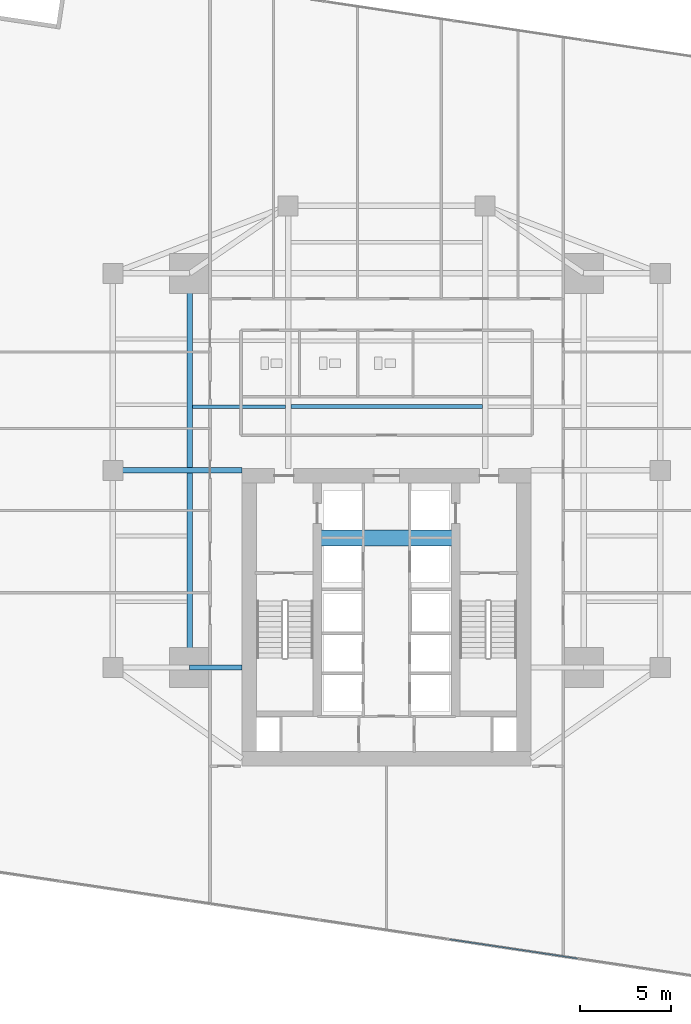
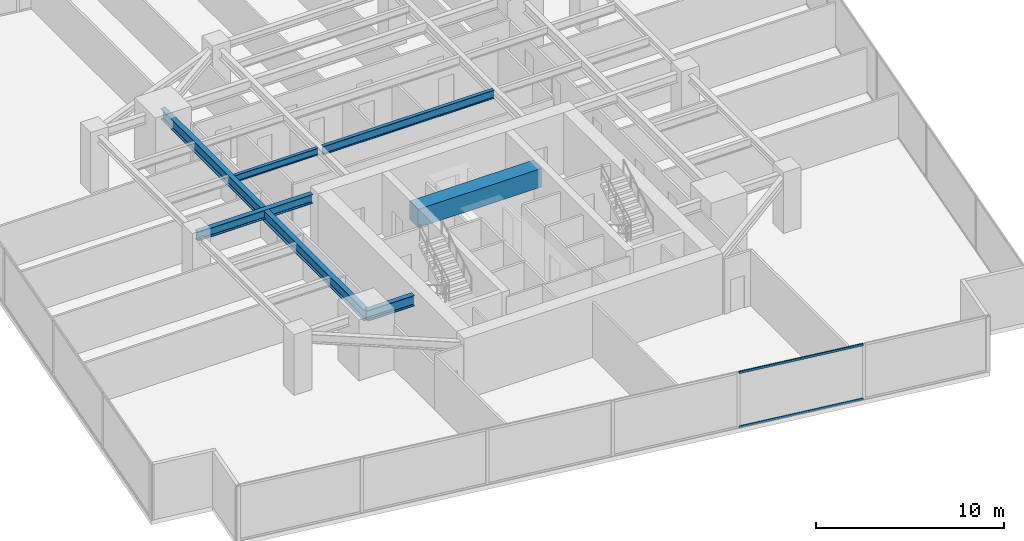
# One storey, part 9 of 29: 6 beams, 2 members, 1 element without a shape of its own.
"""IFC4 building model written with IfcOpenShell, lengths in metres."""

from ifc_helpers import new_model, si_unit, direction, frame, origin, origin_2d, place, context, subcontext, project, spatial, rectangle, hollow_rectangle, i_section, extrude, source, transform, mapped, material, material_profile, profile_set, type_object, type_shapes, element, aggregate, save


model = new_model("IFC4")

# Units and contexts
model_context = context("Model", 3, precision=1e-05, world=origin(), true_north=direction((0.0, 1.0)))
body_context = subcontext(model_context, "Body", "Model", "MODEL_VIEW")
ifc_project = project(units=[si_unit("LENGTHUNIT", "METRE"), si_unit("AREAUNIT", "SQUARE_METRE"), si_unit("VOLUMEUNIT", "CUBIC_METRE"), si_unit("PLANEANGLEUNIT", "RADIAN"), si_unit("MASSUNIT", "GRAM", prefix="KILO")], contexts=[model_context])

# Site, building, storey
site_placement = place(None, origin())
site = spatial("IfcSite", under=ifc_project, at=site_placement, CompositionType="ELEMENT")
building_placement = place(site_placement, origin())
building = spatial("IfcBuilding", under=site, at=building_placement, Name="Krantzveldt Concourse Tower", CompositionType="ELEMENT")
storey_placement = place(building_placement, frame((0.0, 0.0, 76.35009765625)))
storey = spatial("IfcBuildingStorey", under=building, at=storey_placement, Name="L18", CompositionType="ELEMENT", Elevation=76.35009765625)

# Beams
ifc_material_1 = material(Name="Concrete C50/60", Category="concrete")
ifc_material_profile_1 = material_profile(ifc_material_1, rectangle(XDim=0.89990234375, YDim=1.199951171875, at=origin_2d()), Name="Concrete C50/60", Category="concrete")
ifc_profile_set_1 = profile_set([ifc_material_profile_1], Name="Concrete C50/60 - RC-CB 900x1200")
beam_type_1 = type_object("IfcBeamType", Name="BM-CB-1200", PredefinedType="LINTEL", material=ifc_profile_set_1)
shared_shape_1 = source(origin(), body_context, "Body", "SweptSolid", [
    extrude(rectangle(XDim=0.89990234375, YDim=1.199951171875, at=origin_2d()), origin(), (0.0, 0.0, 1.0), 7.580078125),
])
type_shapes(beam_type_1, [shared_shape_1])
beam_1_placement = place(storey_placement, frame((32.2099609375, 23.0, 2.989990234375), z_axis=(1.0, 0.0, 0.0), x_axis=(0.0, 1.0, 0.0)))
element("IfcBeam", 1, at=beam_1_placement, inside=storey, type_object=beam_type_1, Name="CB-L18-01", PredefinedType="LINTEL", context=body_context, shape_type="MappedRepresentation", body=[
    mapped(shared_shape_1, transform((0.0, 0.0, 0.0), x_axis=(1.0, 0.0, 0.0), y_axis=(0.0, 1.0, 0.0), z_axis=(0.0, 0.0, 1.0), scale=1.0)),
])
ifc_material_2 = material(Name="Steel S355J2", Category="steel")
ifc_material_profile_2 = material_profile(ifc_material_2, i_section(OverallWidth=0.300048828125, OverallDepth=0.699951171875, WebThickness=0.01708984375, FlangeThickness=0.031982421875, FilletRadius=0.027099609375, at=origin_2d()), Name="Steel S355J2", Category="steel")
ifc_profile_set_2 = profile_set([ifc_material_profile_2], Name="Steel S355J2 - HEB 700")
beam_type_2 = type_object("IfcBeamType", Name="BM-B-HEB700", PredefinedType="BEAM", material=ifc_profile_set_2)
shared_shape_2 = source(origin(), body_context, "Body", "SweptSolid", [
    extrude(i_section(OverallWidth=0.300048828125, OverallDepth=0.699951171875, WebThickness=0.01708984375, FlangeThickness=0.031982421875, FilletRadius=0.027099609375, at=origin_2d()), origin(), (0.0, 0.0, 1.0), 2.880126953125),
])
beam_2_placement = place(storey_placement, frame((25.199951171875, 15.89990234375, 3.239990234375), z_axis=(1.0, 0.0, 0.0), x_axis=(0.0, 1.0, 0.0)))
element("IfcBeam", 2, at=beam_2_placement, inside=storey, type_object=beam_type_2, Name="L18 Tower Girder BG-CW1", PredefinedType="BEAM", context=body_context, shape_type="MappedRepresentation", body=[
    mapped(shared_shape_2, transform((0.0, 0.0, 0.0), x_axis=(1.0, 0.0, 0.0), y_axis=(0.0, 1.0, 0.0), z_axis=(0.0, 0.0, 1.0), scale=1.0)),
])
shared_shape_3 = source(origin(), body_context, "Body", "SweptSolid", [
    extrude(i_section(OverallWidth=0.300048828125, OverallDepth=0.699951171875, WebThickness=0.01708984375, FlangeThickness=0.031982421875, FilletRadius=0.027099609375, at=origin_2d()), origin(), (0.0, 0.0, 1.0), 21.60009765625),
])
type_shapes(beam_type_2, [shared_shape_2, shared_shape_3])
beam_3_placement = place(storey_placement, frame((25.199951171875, 15.89990234375, 3.239990234375), z_axis=(0.0, 1.0, 0.0), x_axis=(-1.0, 0.0, 0.0)))
element("IfcBeam", 3, at=beam_3_placement, inside=storey, type_object=beam_type_2, Name="L18 Tower Girder BG-MW", PredefinedType="BEAM", context=body_context, shape_type="MappedRepresentation", body=[
    mapped(shared_shape_3, transform((0.0, 0.0, 0.0), x_axis=(1.0, 0.0, 0.0), y_axis=(0.0, 1.0, 0.0), z_axis=(0.0, 0.0, 1.0), scale=1.0)),
])
ifc_material_3 = material(Name="Steel S355JR", Category="steel")
ifc_material_profile_3 = material_profile(ifc_material_3, i_section(OverallWidth=0.300048828125, OverallDepth=0.590087890625, WebThickness=0.012939453125, FlangeThickness=0.02490234375, FilletRadius=0.027099609375, at=origin_2d()), Name="Steel S355JR", Category="steel")
ifc_profile_set_3 = profile_set([ifc_material_profile_3], Name="Steel S355JR - HEA 600")
beam_type_3 = type_object("IfcBeamType", Name="BM-B-HEA600", PredefinedType="BEAM", material=ifc_profile_set_3)
shared_shape_4 = source(origin(), body_context, "Body", "SweptSolid", [
    extrude(i_section(OverallWidth=0.300048828125, OverallDepth=0.590087890625, WebThickness=0.012939453125, FlangeThickness=0.02490234375, FilletRadius=0.027099609375, at=origin_2d()), origin(), (0.0, 0.0, 1.0), 7.080078125),
])
type_shapes(beam_type_3, [shared_shape_4])
beam_4_placement = place(storey_placement, frame((21.0, 26.699951171875, 3.294921875), z_axis=(1.0, 0.0, 0.0), x_axis=(0.0, 1.0, 0.0)))
element("IfcBeam", 4, at=beam_4_placement, inside=storey, type_object=beam_type_3, Name="L18 Tower Girder BG-CW2", PredefinedType="BEAM", context=body_context, shape_type="MappedRepresentation", body=[
    mapped(shared_shape_4, transform((0.0, 0.0, 0.0), x_axis=(1.0, 0.0, 0.0), y_axis=(0.0, 1.0, 0.0), z_axis=(0.0, 0.0, 1.0), scale=1.0)),
])
ifc_material_profile_4 = material_profile(ifc_material_3, i_section(OverallWidth=0.2099609375, OverallDepth=0.550048828125, WebThickness=0.010986328125, FlangeThickness=0.01708984375, FilletRadius=0.02392578125, at=origin_2d()), Name="Steel S355JR", Category="steel")
ifc_profile_set_4 = profile_set([ifc_material_profile_4], Name="Steel S355JR - IPE 550")
beam_type_4 = type_object("IfcBeamType", Name="BM-J-IPE550", PredefinedType="JOIST", material=ifc_profile_set_4)
shared_shape_5 = source(origin(), body_context, "Body", "SweptSolid", [
    extrude(i_section(OverallWidth=0.2099609375, OverallDepth=0.550048828125, WebThickness=0.010986328125, FlangeThickness=0.01708984375, FilletRadius=0.02392578125, at=origin_2d()), origin(), (0.0, 0.0, 1.0), 10.5),
])
type_shapes(beam_type_4, [shared_shape_5])
beam_5_placement = place(storey_placement, frame((30.75, 30.199951171875, 3.31494140625), z_axis=(1.0, 0.0, 0.0), x_axis=(0.0, 1.0, 0.0)))
element("IfcBeam", 5, at=beam_5_placement, inside=storey, type_object=beam_type_4, Name="L18 Secondary Floor Joist JN-C1", PredefinedType="JOIST", context=body_context, shape_type="MappedRepresentation", body=[
    mapped(shared_shape_5, transform((0.0, 0.0, 0.0), x_axis=(1.0, 0.0, 0.0), y_axis=(0.0, 1.0, 0.0), z_axis=(0.0, 0.0, 1.0), scale=1.0)),
])
ifc_material_profile_5 = material_profile(ifc_material_3, i_section(OverallWidth=0.18994140625, OverallDepth=0.449951171875, WebThickness=0.009521484375, FlangeThickness=0.0146484375, FilletRadius=0.02099609375, at=origin_2d()), Name="Steel S355JR", Category="steel")
ifc_profile_set_5 = profile_set([ifc_material_profile_5], Name="Steel S355JR - IPE 450")
beam_type_5 = type_object("IfcBeamType", Name="BM-J-IPE450", PredefinedType="JOIST", material=ifc_profile_set_5)
shared_shape_6 = source(origin(), body_context, "Body", "SweptSolid", [
    extrude(i_section(OverallWidth=0.18994140625, OverallDepth=0.449951171875, WebThickness=0.009521484375, FlangeThickness=0.0146484375, FilletRadius=0.02099609375, at=origin_2d()), origin(), (0.0, 0.0, 1.0), 5.099853515625),
])
type_shapes(beam_type_5, [shared_shape_6])
beam_6_placement = place(storey_placement, frame((25.35009765625, 30.199951171875, 3.364990234375), z_axis=(1.0, 0.0, 0.0), x_axis=(0.0, 1.0, 0.0)))
element("IfcBeam", 6, at=beam_6_placement, inside=storey, type_object=beam_type_5, Name="L18 Secondary Floor Joist JN-W1", PredefinedType="JOIST", context=body_context, shape_type="MappedRepresentation", body=[
    mapped(shared_shape_6, transform((0.0, 0.0, 0.0), x_axis=(1.0, 0.0, 0.0), y_axis=(0.0, 1.0, 0.0), z_axis=(0.0, 0.0, 1.0), scale=1.0)),
])

# Curtain wall, members
ifc_material_4 = material(Name="Anodised aluminium 6063-T6", Category="aluminium")
curtain_wall_type = type_object("IfcCurtainWallType", Name="CW2", PredefinedType="USERDEFINED", material=ifc_material_4)
curtain_wall_placement = place(storey_placement, origin())
curtain_wall = element("IfcCurtainWall", 7, at=curtain_wall_placement, inside=storey, type_object=curtain_wall_type, Name="CW-L18-F04", ObjectType="UNITISED CURTAIN WALL", PredefinedType="USERDEFINED")
ifc_material_profile_6 = material_profile(ifc_material_4, hollow_rectangle(XDim=0.070068359375, YDim=0.139892578125, WallThickness=0.0048828125, at=origin_2d()), Name="Anodised aluminium 6063-T6", Category="aluminium")
ifc_profile_set_6 = profile_set([ifc_material_profile_6], Name="Anodised aluminium 6063-T6 - ALU-TRAN 140x70x5")
member_type = type_object("IfcMemberType", Name="CW-TRN-150", PredefinedType="USERDEFINED", material=ifc_profile_set_6)
shared_shape_7 = source(origin(), body_context, "Body", "SweptSolid", [
    extrude(hollow_rectangle(XDim=0.070068359375, YDim=0.139892578125, WallThickness=0.0048828125, at=origin_2d()), origin(), (0.0, 0.0, 1.0), 7.096435546875),
])
type_shapes(member_type, [shared_shape_7])
member_1_placement = place(storey_placement, frame((39.440673828125, 0.9990234375, 0.034912109375), z_axis=(0.989017962398, -0.147795365468, 0.0), x_axis=(0.147795365468, 0.989017962398, 0.0)))
member_1 = element("IfcMember", 8, at=member_1_placement, type_object=member_type, Name="CW-Z12 transom 5.1", ObjectType="TRANSOM", PredefinedType="USERDEFINED", context=body_context, shape_type="MappedRepresentation", body=[
    mapped(shared_shape_7, transform((0.0, 0.0, 0.0), x_axis=(1.0, 0.0, 0.0), y_axis=(0.0, 1.0, 0.0), z_axis=(0.0, 0.0, 1.0), scale=1.0)),
])
member_2_placement = place(storey_placement, frame((39.440673828125, 0.9990234375, 3.554931640625), z_axis=(0.989017962398, -0.147795365468, 0.0), x_axis=(0.147795365468, 0.989017962398, 0.0)))
member_2 = element("IfcMember", 9, at=member_2_placement, type_object=member_type, Name="CW-Z12 transom 5.2", ObjectType="TRANSOM", PredefinedType="USERDEFINED", context=body_context, shape_type="MappedRepresentation", body=[
    mapped(shared_shape_7, transform((0.0, 0.0, 0.0), x_axis=(1.0, 0.0, 0.0), y_axis=(0.0, 1.0, 0.0), z_axis=(0.0, 0.0, 1.0), scale=1.0)),
])
aggregate(curtain_wall, [member_1, member_2])

save(model, "model.ifc")
